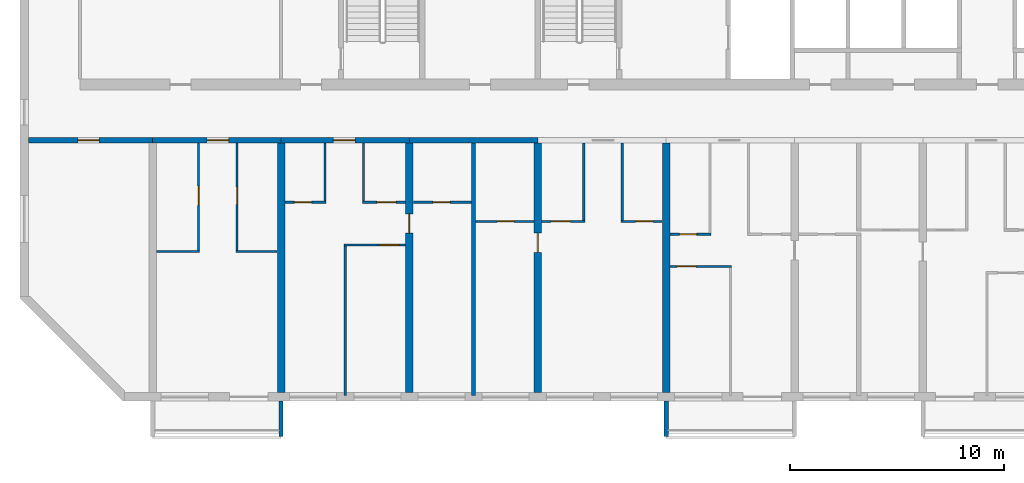
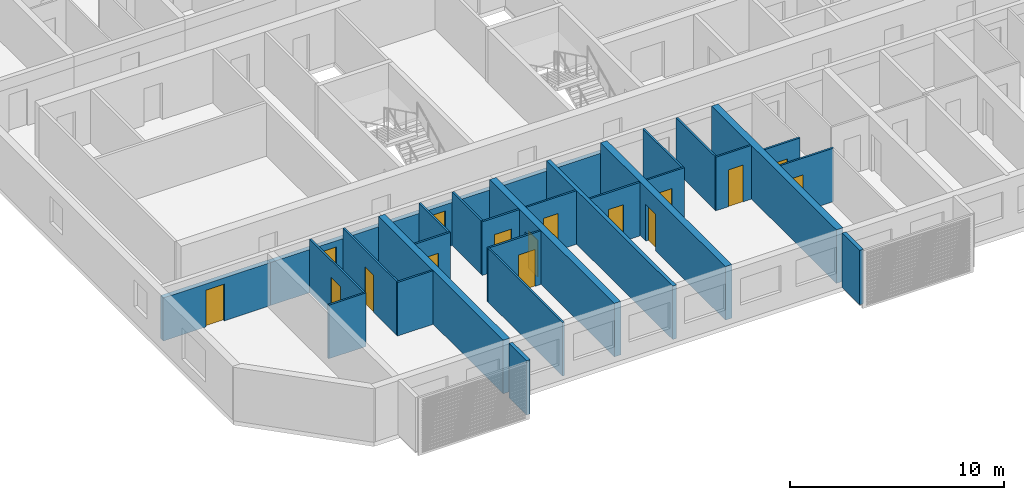
# One storey, part 2 of 30: 29 walls, 16 doors, 16 openings.
"""IFC4 building model written with IfcOpenShell, lengths in metres."""

from ifc_helpers import new_model, si_unit, direction, frame, frame_2d, origin, place, context, subcontext, project, spatial, polyline, rectangle, outline, extrude, source, transform, mapped, material, layer, layer_set, type_object, element, fill, save


model = new_model("IFC4")

# Units and contexts
model_context = context("Model", 3, precision=1e-05, world=origin(), true_north=direction((0.0, 1.0)))
body_context = subcontext(model_context, "Body", "Model", "MODEL_VIEW")
ifc_project = project(units=[si_unit("LENGTHUNIT", "METRE"), si_unit("AREAUNIT", "SQUARE_METRE"), si_unit("VOLUMEUNIT", "CUBIC_METRE"), si_unit("PLANEANGLEUNIT", "RADIAN"), si_unit("MASSUNIT", "GRAM", prefix="KILO")], contexts=[model_context])

# Site, building, storey
site_placement = place(None, origin())
site = spatial("IfcSite", under=ifc_project, at=site_placement, CompositionType="ELEMENT")
building_placement = place(site_placement, origin())
building = spatial("IfcBuilding", under=site, at=building_placement, Name="Poui Terraces", CompositionType="ELEMENT")
storey_placement = place(building_placement, frame((0.0, 0.0, 99.300048828125)))
storey = spatial("IfcBuildingStorey", under=building, at=storey_placement, Name="L27", CompositionType="ELEMENT", Elevation=99.300048828125)

# Wall, opening, door
ifc_material_1 = material(Name="Concrete 65 MPa", Category="concrete")
ifc_layer_1 = layer(ifc_material_1, 0.25)
ifc_layer_set_1 = layer_set([ifc_layer_1], Name="Concrete 65 MPa")
wall_type_1 = type_object("IfcWallType", Name="CORRIDOR WALL 250 65MPa", PredefinedType="SHEAR", material=ifc_layer_set_1)
wall_1_placement = place(storey_placement, frame((6.199951171875, 12.0, 0.0), z_axis=(0.0, 0.0, 1.0), x_axis=(1.0, 0.0, 0.0)))
wall_1 = element("IfcWall", 1, at=wall_1_placement, inside=storey, type_object=wall_type_1, Name="CORRIDOR WALL LINE B BAY 1", PredefinedType="SHEAR", context=body_context, shape_type="SweptSolid", body=[
    extrude(rectangle(XDim=5.800048828125, YDim=0.25, at=frame_2d((2.89990234375, 0.0))), origin(), (0.0, 0.0, 1.0), 2.4599609375),
])
opening_1_placement = place(wall_1_placement, frame((2.300048828125, 0.0, 0.0)))
opening_1 = element("IfcOpeningElement", 2, at=opening_1_placement, cuts=wall_1, Name="Opening D100", PredefinedType="OPENING", context=body_context, shape_type="SweptSolid", body=[
    extrude(rectangle(XDim=1.0, YDim=2.10009765625, at=frame_2d((0.5, 1.050048828125))), frame((0.0, 0.135009765625, 0.0), z_axis=(0.0, -1.0, 0.0), x_axis=(1.0, 0.0, 0.0)), (0.0, 0.0, 1.0), 0.27001953125),
])
ifc_material_2 = material(Name="Solid core timber door", Category="wood")
door_type_1 = type_object("IfcDoorType", Name="ACCESSIBLE INTERNAL DOOR 1000 X 2100", OperationType="NOTDEFINED", PredefinedType="DOOR", material=ifc_material_2)
door_1_placement = place(opening_1_placement, frame((1.0, 0.0, 0.0), z_axis=(0.0, 0.0, 1.0), x_axis=(-1.0, 0.0, 0.0)))
door_1 = element("IfcDoor", 3, at=door_1_placement, inside=storey, type_object=door_type_1, Name="ACCESSIBLE INTERNAL DOOR 083", OperationType="SINGLE_SWING_RIGHT", OverallHeight=2.10009765625, OverallWidth=1.0, PredefinedType="DOOR", context=body_context, shape_type="SweptSolid", body=[
    extrude(rectangle(XDim=1.0, YDim=2.10009765625, at=frame_2d((0.5, 1.050048828125))), frame((0.0, 0.02490234375, 0.0), z_axis=(0.0, -1.0, 0.0), x_axis=(1.0, 0.0, 0.0)), (0.0, 0.0, 1.0), 0.050048828125),
])
fill(opening_1, door_1)

wall_2_placement = place(storey_placement, frame((12.0, 12.0, 0.0), z_axis=(0.0, 0.0, 1.0), x_axis=(1.0, 0.0, 0.0)))
wall_2 = element("IfcWall", 4, at=wall_2_placement, inside=storey, type_object=wall_type_1, Name="CORRIDOR WALL LINE B BAY 2", PredefinedType="SHEAR", context=body_context, shape_type="SweptSolid", body=[
    extrude(rectangle(XDim=6.0, YDim=0.25, at=frame_2d((3.0, 0.0))), origin(), (0.0, 0.0, 1.0), 2.4599609375),
])
opening_2_placement = place(wall_2_placement, frame((2.550048828125, 0.0, 0.0)))
opening_2 = element("IfcOpeningElement", 5, at=opening_2_placement, cuts=wall_2, Name="Opening FD30S", PredefinedType="OPENING", context=body_context, shape_type="SweptSolid", body=[
    extrude(rectangle(XDim=1.0, YDim=2.10009765625, at=frame_2d((0.5, 1.050048828125))), frame((0.0, 0.135009765625, 0.0), z_axis=(0.0, -1.0, 0.0), x_axis=(1.0, 0.0, 0.0)), (0.0, 0.0, 1.0), 0.27001953125),
])
ifc_material_3 = material(Name="Steel fire door", Category="steel")
door_type_2 = type_object("IfcDoorType", Name="FLAT ENTRANCE DOOR 1000 X 2100", OperationType="NOTDEFINED", PredefinedType="DOOR", material=ifc_material_3)
door_2_placement = place(opening_2_placement, frame((1.0, 0.0, 0.0), z_axis=(0.0, 0.0, 1.0), x_axis=(-1.0, 0.0, 0.0)))
door_2 = element("IfcDoor", 6, at=door_2_placement, inside=storey, type_object=door_type_2, Name="FLAT ENTRANCE DOOR 085", OperationType="SINGLE_SWING_LEFT", OverallHeight=2.10009765625, OverallWidth=1.0, PredefinedType="DOOR", context=body_context, shape_type="SweptSolid", body=[
    extrude(rectangle(XDim=1.0, YDim=2.10009765625, at=frame_2d((0.5, 1.050048828125))), frame((0.0, 0.02490234375, 0.0), z_axis=(0.0, -1.0, 0.0), x_axis=(1.0, 0.0, 0.0)), (0.0, 0.0, 1.0), 0.050048828125),
])
fill(opening_2, door_2)

wall_3_placement = place(storey_placement, frame((18.0, 12.0, 0.0), z_axis=(0.0, 0.0, 1.0), x_axis=(1.0, 0.0, 0.0)))
wall_3 = element("IfcWall", 7, at=wall_3_placement, inside=storey, type_object=wall_type_1, Name="CORRIDOR WALL LINE B BAY 3", PredefinedType="SHEAR", context=body_context, shape_type="SweptSolid", body=[
    extrude(rectangle(XDim=6.0, YDim=0.25, at=frame_2d((3.0, 0.0))), origin(), (0.0, 0.0, 1.0), 2.4599609375),
])
opening_3_placement = place(wall_3_placement, frame((2.449951171875, 0.0, 0.0)))
opening_3 = element("IfcOpeningElement", 8, at=opening_3_placement, cuts=wall_3, Name="Opening FD30S", PredefinedType="OPENING", context=body_context, shape_type="SweptSolid", body=[
    extrude(rectangle(XDim=1.0, YDim=2.10009765625, at=frame_2d((0.5, 1.050048828125))), frame((0.0, 0.135009765625, 0.0), z_axis=(0.0, -1.0, 0.0), x_axis=(1.0, 0.0, 0.0)), (0.0, 0.0, 1.0), 0.27001953125),
])
door_3_placement = place(opening_3_placement, frame((1.0, 0.0, 0.0), z_axis=(0.0, 0.0, 1.0), x_axis=(-1.0, 0.0, 0.0)))
door_3 = element("IfcDoor", 9, at=door_3_placement, inside=storey, type_object=door_type_2, Name="FLAT ENTRANCE DOOR 089", OperationType="SINGLE_SWING_RIGHT", OverallHeight=2.10009765625, OverallWidth=1.0, PredefinedType="DOOR", context=body_context, shape_type="SweptSolid", body=[
    extrude(rectangle(XDim=1.0, YDim=2.10009765625, at=frame_2d((0.5, 1.050048828125))), frame((0.0, 0.02490234375, 0.0), z_axis=(0.0, -1.0, 0.0), x_axis=(1.0, 0.0, 0.0)), (0.0, 0.0, 1.0), 0.050048828125),
])
fill(opening_3, door_3)

# Walls
wall_4_placement = place(storey_placement, frame((24.0, 12.0, 0.0), z_axis=(0.0, 0.0, 1.0), x_axis=(1.0, 0.0, 0.0)))
element("IfcWall", 10, at=wall_4_placement, inside=storey, type_object=wall_type_1, Name="CORRIDOR WALL LINE B BAY 4", PredefinedType="SHEAR", context=body_context, shape_type="SweptSolid", body=[
    extrude(rectangle(XDim=6.0, YDim=0.25, at=frame_2d((3.0, 0.0))), origin(), (0.0, 0.0, 1.0), 2.4599609375),
])
ifc_layer_2 = layer(ifc_material_1, 0.35009765625)
ifc_layer_set_2 = layer_set([ifc_layer_2], Name="Concrete 65 MPa")
wall_type_2 = type_object("IfcWallType", Name="CROSS WALL 350 65MPa", PredefinedType="SHEAR", material=ifc_layer_set_2)
wall_5_placement = place(storey_placement, frame((18.0, 0.199951171875, 0.0), z_axis=(0.0, 0.0, 1.0), x_axis=(0.0, 1.0, 0.0)))
element("IfcWall", 11, at=wall_5_placement, inside=storey, type_object=wall_type_2, Name="CROSS WALL LINE 4 SOUTH", PredefinedType="SHEAR", context=body_context, shape_type="SweptSolid", body=[
    extrude(rectangle(XDim=11.675048828125, YDim=0.35009765625, at=frame_2d((5.83740234375, 0.0))), origin(), (0.0, 0.0, 1.0), 3.06005859375),
])

# Wall, opening, door
wall_6_placement = place(storey_placement, frame((24.0, 0.199951171875, 0.0), z_axis=(0.0, 0.0, 1.0), x_axis=(0.0, 1.0, 0.0)))
wall_6 = element("IfcWall", 12, at=wall_6_placement, inside=storey, type_object=wall_type_2, Name="CROSS WALL LINE 5 SOUTH", PredefinedType="SHEAR", context=body_context, shape_type="SweptSolid", body=[
    extrude(rectangle(XDim=11.675048828125, YDim=0.35009765625, at=frame_2d((5.83740234375, 0.0))), origin(), (0.0, 0.0, 1.0), 3.06005859375),
])
opening_4_placement = place(wall_6_placement, frame((7.449951171875, 0.0, 0.0)))
opening_4 = element("IfcOpeningElement", 13, at=opening_4_placement, cuts=wall_6, Name="Opening D90", PredefinedType="OPENING", context=body_context, shape_type="SweptSolid", body=[
    extrude(rectangle(XDim=0.89990234375, YDim=2.10009765625, at=frame_2d((0.449951171875, 1.050048828125))), frame((0.0, 0.18505859375, 0.0), z_axis=(0.0, -1.0, 0.0), x_axis=(1.0, 0.0, 0.0)), (0.0, 0.0, 1.0), 0.3701171875),
])
door_type_3 = type_object("IfcDoorType", Name="INTERNAL DOOR 900 X 2100", OperationType="NOTDEFINED", PredefinedType="DOOR", material=ifc_material_2)
door_4_placement = place(opening_4_placement, frame((0.89990234375, 0.0, 0.0), z_axis=(0.0, 0.0, 1.0), x_axis=(-1.0, 0.0, 0.0)))
door_4 = element("IfcDoor", 14, at=door_4_placement, inside=storey, type_object=door_type_3, Name="INTERNAL DOOR 092", OperationType="SINGLE_SWING_LEFT", OverallHeight=2.10009765625, OverallWidth=0.89990234375, PredefinedType="DOOR", context=body_context, shape_type="SweptSolid", body=[
    extrude(rectangle(XDim=0.89990234375, YDim=2.10009765625, at=frame_2d((0.449951171875, 1.050048828125))), frame((0.0, 0.02490234375, 0.0), z_axis=(0.0, -1.0, 0.0), x_axis=(1.0, 0.0, 0.0)), (0.0, 0.0, 1.0), 0.050048828125),
])
fill(opening_4, door_4)

wall_7_placement = place(storey_placement, frame((30.0, 0.199951171875, 0.0), z_axis=(0.0, 0.0, 1.0), x_axis=(0.0, 1.0, 0.0)))
wall_7 = element("IfcWall", 15, at=wall_7_placement, inside=storey, type_object=wall_type_2, Name="CROSS WALL LINE 6 SOUTH", PredefinedType="SHEAR", context=body_context, shape_type="SweptSolid", body=[
    extrude(rectangle(XDim=11.675048828125, YDim=0.35009765625, at=frame_2d((5.83740234375, 0.0))), origin(), (0.0, 0.0, 1.0), 3.06005859375),
])
opening_5_placement = place(wall_7_placement, frame((6.550048828125, 0.0, 0.0)))
opening_5 = element("IfcOpeningElement", 16, at=opening_5_placement, cuts=wall_7, Name="Opening D90", PredefinedType="OPENING", context=body_context, shape_type="SweptSolid", body=[
    extrude(rectangle(XDim=0.89990234375, YDim=2.10009765625, at=frame_2d((0.449951171875, 1.050048828125))), frame((0.0, 0.18505859375, 0.0), z_axis=(0.0, -1.0, 0.0), x_axis=(1.0, 0.0, 0.0)), (0.0, 0.0, 1.0), 0.3701171875),
])
door_5_placement = place(opening_5_placement, origin())
door_5 = element("IfcDoor", 17, at=door_5_placement, inside=storey, type_object=door_type_3, Name="INTERNAL DOOR 094", OperationType="SINGLE_SWING_RIGHT", OverallHeight=2.10009765625, OverallWidth=0.89990234375, PredefinedType="DOOR", context=body_context, shape_type="SweptSolid", body=[
    extrude(rectangle(XDim=0.89990234375, YDim=2.10009765625, at=frame_2d((0.449951171875, 1.050048828125))), frame((0.0, 0.02490234375, 0.0), z_axis=(0.0, -1.0, 0.0), x_axis=(1.0, 0.0, 0.0)), (0.0, 0.0, 1.0), 0.050048828125),
])
fill(opening_5, door_5)

# Wall
wall_8_placement = place(storey_placement, frame((36.0, 0.199951171875, 0.0), z_axis=(0.0, 0.0, 1.0), x_axis=(0.0, 1.0, 0.0)))
element("IfcWall", 18, at=wall_8_placement, inside=storey, type_object=wall_type_2, Name="CROSS WALL LINE 7 SOUTH", PredefinedType="SHEAR", context=body_context, shape_type="SweptSolid", body=[
    extrude(rectangle(XDim=11.675048828125, YDim=0.35009765625, at=frame_2d((5.83740234375, 0.0))), origin(), (0.0, 0.0, 1.0), 3.06005859375),
])

# Wall, opening, door
ifc_material_4 = material(Name="Plasterboard partition")
ifc_layer_3 = layer(ifc_material_4, 0.10009765625)
ifc_layer_set_3 = layer_set([ifc_layer_3], Name="Plasterboard partition")
wall_type_3 = type_object("IfcWallType", Name="FLAT PARTITION 100", PredefinedType="PARTITIONING", material=ifc_layer_set_3)
wall_9_placement = place(storey_placement, frame((36.18505859375, 6.10009765625, 0.0), z_axis=(0.0, 0.0, 1.0), x_axis=(1.0, 0.0, 0.0)))
wall_9 = element("IfcWall", 19, at=wall_9_placement, inside=storey, type_object=wall_type_3, Name="FLAT PARTITION 100", PredefinedType="PARTITIONING", context=body_context, shape_type="SweptSolid", body=[
    extrude(rectangle(XDim=2.864990234375, YDim=0.10009765625, at=frame_2d((1.4326171875, 0.0))), origin(), (0.0, 0.0, 1.0), 3.06005859375),
])
opening_6_placement = place(wall_9_placement, frame((0.31494140625, 0.0, 0.0)))
opening_6 = element("IfcOpeningElement", 20, at=opening_6_placement, cuts=wall_9, Name="Opening D90", PredefinedType="OPENING", context=body_context, shape_type="SweptSolid", body=[
    extrude(rectangle(XDim=0.89990234375, YDim=2.10009765625, at=frame_2d((0.449951171875, 1.050048828125))), frame((0.0, 0.06005859375, 0.0), z_axis=(0.0, -1.0, 0.0), x_axis=(1.0, 0.0, 0.0)), (0.0, 0.0, 1.0), 0.1201171875),
])
door_6_placement = place(opening_6_placement, origin())
door_6 = element("IfcDoor", 21, at=door_6_placement, inside=storey, type_object=door_type_3, Name="INTERNAL DOOR 099", OperationType="SINGLE_SWING_RIGHT", OverallHeight=2.10009765625, OverallWidth=0.89990234375, PredefinedType="DOOR", context=body_context, shape_type="SweptSolid", body=[
    extrude(rectangle(XDim=0.89990234375, YDim=2.10009765625, at=frame_2d((0.449951171875, 1.050048828125))), frame((0.0, 0.02490234375, 0.0), z_axis=(0.0, -1.0, 0.0), x_axis=(1.0, 0.0, 0.0)), (0.0, 0.0, 1.0), 0.050048828125),
])
fill(opening_6, door_6)

# Walls
wall_10_placement = place(storey_placement, frame((12.18505859375, 6.800048828125, 0.0), z_axis=(0.0, 0.0, 1.0), x_axis=(1.0, 0.0, 0.0)))
element("IfcWall", 22, at=wall_10_placement, inside=storey, type_object=wall_type_3, Name="FLAT PARTITION 100", PredefinedType="PARTITIONING", context=body_context, shape_type="SweptSolid", body=[
    extrude(rectangle(XDim=2.014892578125, YDim=0.10009765625, at=frame_2d((1.00732421875, 0.0))), origin(), (0.0, 0.0, 1.0), 3.06005859375),
])
wall_11_placement = place(storey_placement, frame((15.89990234375, 6.800048828125, 0.0), z_axis=(0.0, 0.0, 1.0), x_axis=(1.0, 0.0, 0.0)))
element("IfcWall", 23, at=wall_11_placement, inside=storey, type_object=wall_type_3, Name="FLAT PARTITION 100", PredefinedType="PARTITIONING", context=body_context, shape_type="SweptSolid", body=[
    extrude(rectangle(XDim=1.9150390625, YDim=0.10009765625, at=frame_2d((0.95751953125, 0.0))), origin(), (0.0, 0.0, 1.0), 3.06005859375),
])

# Wall, opening, door
wall_12_placement = place(storey_placement, frame((20.949951171875, 7.10009765625, 0.0), z_axis=(0.0, 0.0, 1.0), x_axis=(1.0, 0.0, 0.0)))
wall_12 = element("IfcWall", 24, at=wall_12_placement, inside=storey, type_object=wall_type_3, Name="FLAT PARTITION 100", PredefinedType="PARTITIONING", context=body_context, shape_type="SweptSolid", body=[
    extrude(rectangle(XDim=2.864990234375, YDim=0.10009765625, at=frame_2d((1.4326171875, 0.0))), origin(), (0.0, 0.0, 1.0), 3.06005859375),
])
opening_7_placement = place(wall_12_placement, frame((1.64990234375, 0.0, 0.0)))
opening_7 = element("IfcOpeningElement", 25, at=opening_7_placement, cuts=wall_12, Name="Opening D90", PredefinedType="OPENING", context=body_context, shape_type="SweptSolid", body=[
    extrude(rectangle(XDim=0.89990234375, YDim=2.10009765625, at=frame_2d((0.449951171875, 1.050048828125))), frame((0.0, 0.06005859375, 0.0), z_axis=(0.0, -1.0, 0.0), x_axis=(1.0, 0.0, 0.0)), (0.0, 0.0, 1.0), 0.1201171875),
])
door_7_placement = place(opening_7_placement, origin())
door_7 = element("IfcDoor", 26, at=door_7_placement, inside=storey, type_object=door_type_3, Name="INTERNAL DOOR 091", OperationType="SINGLE_SWING_LEFT", OverallHeight=2.10009765625, OverallWidth=0.89990234375, PredefinedType="DOOR", context=body_context, shape_type="SweptSolid", body=[
    extrude(rectangle(XDim=0.89990234375, YDim=2.10009765625, at=frame_2d((0.449951171875, 1.050048828125))), frame((0.0, 0.02490234375, 0.0), z_axis=(0.0, -1.0, 0.0), x_axis=(1.0, 0.0, 0.0)), (0.0, 0.0, 1.0), 0.050048828125),
])
fill(opening_7, door_7)

wall_13_placement = place(storey_placement, frame((36.18505859375, 7.60009765625, 0.0), z_axis=(0.0, 0.0, 1.0), x_axis=(1.0, 0.0, 0.0)))
wall_13 = element("IfcWall", 27, at=wall_13_placement, inside=storey, type_object=wall_type_3, Name="FLAT PARTITION 100", PredefinedType="PARTITIONING", context=body_context, shape_type="SweptSolid", body=[
    extrude(rectangle(XDim=1.9150390625, YDim=0.10009765625, at=frame_2d((0.95751953125, 0.0))), origin(), (0.0, 0.0, 1.0), 3.06005859375),
])
opening_8_placement = place(wall_13_placement, frame((0.43994140625, 0.0, 0.0)))
opening_8 = element("IfcOpeningElement", 28, at=opening_8_placement, cuts=wall_13, Name="Opening D80", PredefinedType="OPENING", context=body_context, shape_type="SweptSolid", body=[
    extrude(rectangle(XDim=0.800048828125, YDim=2.10009765625, at=frame_2d((0.39990234375, 1.050048828125))), frame((0.0, 0.06005859375, 0.0), z_axis=(0.0, -1.0, 0.0), x_axis=(1.0, 0.0, 0.0)), (0.0, 0.0, 1.0), 0.1201171875),
])
door_type_4 = type_object("IfcDoorType", Name="BATHROOM, LAUNDRY AND STORE DOOR 800 X 2100", OperationType="NOTDEFINED", PredefinedType="DOOR", material=ifc_material_2)
door_8_placement = place(opening_8_placement, origin())
door_8 = element("IfcDoor", 29, at=door_8_placement, inside=storey, type_object=door_type_4, Name="BATHROOM, LAUNDRY AND STORE DOOR 100", OperationType="SINGLE_SWING_LEFT", OverallHeight=2.10009765625, OverallWidth=0.800048828125, PredefinedType="DOOR", context=body_context, shape_type="SweptSolid", body=[
    extrude(rectangle(XDim=0.800048828125, YDim=2.10009765625, at=frame_2d((0.39990234375, 1.050048828125))), frame((0.0, 0.02490234375, 0.0), z_axis=(0.0, -1.0, 0.0), x_axis=(1.0, 0.0, 0.0)), (0.0, 0.0, 1.0), 0.050048828125),
])
fill(opening_8, door_8)

wall_14_placement = place(storey_placement, frame((27.10009765625, 8.199951171875, 0.0), z_axis=(0.0, 0.0, 1.0), x_axis=(1.0, 0.0, 0.0)))
wall_14 = element("IfcWall", 30, at=wall_14_placement, inside=storey, type_object=wall_type_3, Name="FLAT PARTITION 100", PredefinedType="PARTITIONING", context=body_context, shape_type="SweptSolid", body=[
    extrude(rectangle(XDim=2.71484375, YDim=0.10009765625, at=frame_2d((1.357421875, 0.0))), origin(), (0.0, 0.0, 1.0), 3.06005859375),
])
opening_9_placement = place(wall_14_placement, frame((1.0, 0.0, 0.0)))
opening_9 = element("IfcOpeningElement", 31, at=opening_9_placement, cuts=wall_14, Name="Opening D80", PredefinedType="OPENING", context=body_context, shape_type="SweptSolid", body=[
    extrude(rectangle(XDim=0.800048828125, YDim=2.10009765625, at=frame_2d((0.39990234375, 1.050048828125))), frame((0.0, 0.06005859375, 0.0), z_axis=(0.0, -1.0, 0.0), x_axis=(1.0, 0.0, 0.0)), (0.0, 0.0, 1.0), 0.1201171875),
])
door_9_placement = place(opening_9_placement, origin())
door_9 = element("IfcDoor", 32, at=door_9_placement, inside=storey, type_object=door_type_4, Name="BATHROOM, LAUNDRY AND STORE DOOR 093", OperationType="SINGLE_SWING_RIGHT", OverallHeight=2.10009765625, OverallWidth=0.800048828125, PredefinedType="DOOR", context=body_context, shape_type="SweptSolid", body=[
    extrude(rectangle(XDim=0.800048828125, YDim=2.10009765625, at=frame_2d((0.39990234375, 1.050048828125))), frame((0.0, 0.02490234375, 0.0), z_axis=(0.0, -1.0, 0.0), x_axis=(1.0, 0.0, 0.0)), (0.0, 0.0, 1.0), 0.050048828125),
])
fill(opening_9, door_9)

wall_15_placement = place(storey_placement, frame((30.18505859375, 8.199951171875, 0.0), z_axis=(0.0, 0.0, 1.0), x_axis=(1.0, 0.0, 0.0)))
wall_15 = element("IfcWall", 33, at=wall_15_placement, inside=storey, type_object=wall_type_3, Name="FLAT PARTITION 100", PredefinedType="PARTITIONING", context=body_context, shape_type="SweptSolid", body=[
    extrude(rectangle(XDim=2.014892578125, YDim=0.10009765625, at=frame_2d((1.00732421875, 0.0))), origin(), (0.0, 0.0, 1.0), 3.06005859375),
])
opening_10_placement = place(wall_15_placement, frame((0.43994140625, 0.0, 0.0)))
opening_10 = element("IfcOpeningElement", 34, at=opening_10_placement, cuts=wall_15, Name="Opening D90", PredefinedType="OPENING", context=body_context, shape_type="SweptSolid", body=[
    extrude(rectangle(XDim=0.89990234375, YDim=2.10009765625, at=frame_2d((0.449951171875, 1.050048828125))), frame((0.0, 0.06005859375, 0.0), z_axis=(0.0, -1.0, 0.0), x_axis=(1.0, 0.0, 0.0)), (0.0, 0.0, 1.0), 0.1201171875),
])
door_10_placement = place(opening_10_placement, origin())
door_10 = element("IfcDoor", 35, at=door_10_placement, inside=storey, type_object=door_type_3, Name="INTERNAL DOOR 095", OperationType="SINGLE_SWING_LEFT", OverallHeight=2.10009765625, OverallWidth=0.89990234375, PredefinedType="DOOR", context=body_context, shape_type="SweptSolid", body=[
    extrude(rectangle(XDim=0.89990234375, YDim=2.10009765625, at=frame_2d((0.449951171875, 1.050048828125))), frame((0.0, 0.02490234375, 0.0), z_axis=(0.0, -1.0, 0.0), x_axis=(1.0, 0.0, 0.0)), (0.0, 0.0, 1.0), 0.050048828125),
])
fill(opening_10, door_10)

wall_16_placement = place(storey_placement, frame((33.89990234375, 8.199951171875, 0.0), z_axis=(0.0, 0.0, 1.0), x_axis=(1.0, 0.0, 0.0)))
wall_16 = element("IfcWall", 36, at=wall_16_placement, inside=storey, type_object=wall_type_3, Name="FLAT PARTITION 100", PredefinedType="PARTITIONING", context=body_context, shape_type="SweptSolid", body=[
    extrude(rectangle(XDim=1.9150390625, YDim=0.10009765625, at=frame_2d((0.95751953125, 0.0))), origin(), (0.0, 0.0, 1.0), 3.06005859375),
])
opening_11_placement = place(wall_16_placement, frame((0.675048828125, 0.0, 0.0)))
opening_11 = element("IfcOpeningElement", 37, at=opening_11_placement, cuts=wall_16, Name="Opening D80", PredefinedType="OPENING", context=body_context, shape_type="SweptSolid", body=[
    extrude(rectangle(XDim=0.800048828125, YDim=2.10009765625, at=frame_2d((0.39990234375, 1.050048828125))), frame((0.0, 0.06005859375, 0.0), z_axis=(0.0, -1.0, 0.0), x_axis=(1.0, 0.0, 0.0)), (0.0, 0.0, 1.0), 0.1201171875),
])
door_11_placement = place(opening_11_placement, origin())
door_11 = element("IfcDoor", 38, at=door_11_placement, inside=storey, type_object=door_type_4, Name="BATHROOM, LAUNDRY AND STORE DOOR 097", OperationType="SINGLE_SWING_RIGHT", OverallHeight=2.10009765625, OverallWidth=0.800048828125, PredefinedType="DOOR", context=body_context, shape_type="SweptSolid", body=[
    extrude(rectangle(XDim=0.800048828125, YDim=2.10009765625, at=frame_2d((0.39990234375, 1.050048828125))), frame((0.0, 0.02490234375, 0.0), z_axis=(0.0, -1.0, 0.0), x_axis=(1.0, 0.0, 0.0)), (0.0, 0.0, 1.0), 0.050048828125),
])
fill(opening_11, door_11)

wall_17_placement = place(storey_placement, frame((18.18505859375, 9.10009765625, 0.0), z_axis=(0.0, 0.0, 1.0), x_axis=(1.0, 0.0, 0.0)))
wall_17 = element("IfcWall", 39, at=wall_17_placement, inside=storey, type_object=wall_type_3, Name="FLAT PARTITION 100", PredefinedType="PARTITIONING", context=body_context, shape_type="SweptSolid", body=[
    extrude(rectangle(XDim=1.9150390625, YDim=0.10009765625, at=frame_2d((0.95751953125, 0.0))), origin(), (0.0, 0.0, 1.0), 3.06005859375),
])
opening_12_placement = place(wall_17_placement, frame((0.43994140625, 0.0, 0.0)))
opening_12 = element("IfcOpeningElement", 40, at=opening_12_placement, cuts=wall_17, Name="Opening D80", PredefinedType="OPENING", context=body_context, shape_type="SweptSolid", body=[
    extrude(rectangle(XDim=0.800048828125, YDim=2.10009765625, at=frame_2d((0.39990234375, 1.050048828125))), frame((0.0, 0.06005859375, 0.0), z_axis=(0.0, -1.0, 0.0), x_axis=(1.0, 0.0, 0.0)), (0.0, 0.0, 1.0), 0.1201171875),
])
door_12_placement = place(opening_12_placement, origin())
door_12 = element("IfcDoor", 41, at=door_12_placement, inside=storey, type_object=door_type_4, Name="BATHROOM, LAUNDRY AND STORE DOOR 088", OperationType="SINGLE_SWING_LEFT", OverallHeight=2.10009765625, OverallWidth=0.800048828125, PredefinedType="DOOR", context=body_context, shape_type="SweptSolid", body=[
    extrude(rectangle(XDim=0.800048828125, YDim=2.10009765625, at=frame_2d((0.39990234375, 1.050048828125))), frame((0.0, 0.02490234375, 0.0), z_axis=(0.0, -1.0, 0.0), x_axis=(1.0, 0.0, 0.0)), (0.0, 0.0, 1.0), 0.050048828125),
])
fill(opening_12, door_12)

wall_18_placement = place(storey_placement, frame((21.800048828125, 9.10009765625, 0.0), z_axis=(0.0, 0.0, 1.0), x_axis=(1.0, 0.0, 0.0)))
wall_18 = element("IfcWall", 42, at=wall_18_placement, inside=storey, type_object=wall_type_3, Name="FLAT PARTITION 100", PredefinedType="PARTITIONING", context=body_context, shape_type="SweptSolid", body=[
    extrude(rectangle(XDim=2.014892578125, YDim=0.10009765625, at=frame_2d((1.00732421875, 0.0))), origin(), (0.0, 0.0, 1.0), 3.06005859375),
])
opening_13_placement = place(wall_18_placement, frame((0.675048828125, 0.0, 0.0)))
opening_13 = element("IfcOpeningElement", 43, at=opening_13_placement, cuts=wall_18, Name="Opening D90", PredefinedType="OPENING", context=body_context, shape_type="SweptSolid", body=[
    extrude(rectangle(XDim=0.89990234375, YDim=2.10009765625, at=frame_2d((0.449951171875, 1.050048828125))), frame((0.0, 0.06005859375, 0.0), z_axis=(0.0, -1.0, 0.0), x_axis=(1.0, 0.0, 0.0)), (0.0, 0.0, 1.0), 0.1201171875),
])
door_13_placement = place(opening_13_placement, origin())
door_13 = element("IfcDoor", 44, at=door_13_placement, inside=storey, type_object=door_type_3, Name="INTERNAL DOOR 090", OperationType="SINGLE_SWING_RIGHT", OverallHeight=2.10009765625, OverallWidth=0.89990234375, PredefinedType="DOOR", context=body_context, shape_type="SweptSolid", body=[
    extrude(rectangle(XDim=0.89990234375, YDim=2.10009765625, at=frame_2d((0.449951171875, 1.050048828125))), frame((0.0, 0.02490234375, 0.0), z_axis=(0.0, -1.0, 0.0), x_axis=(1.0, 0.0, 0.0)), (0.0, 0.0, 1.0), 0.050048828125),
])
fill(opening_13, door_13)

wall_19_placement = place(storey_placement, frame((24.18505859375, 9.10009765625, 0.0), z_axis=(0.0, 0.0, 1.0), x_axis=(1.0, 0.0, 0.0)))
wall_19 = element("IfcWall", 45, at=wall_19_placement, inside=storey, type_object=wall_type_3, Name="FLAT PARTITION 100", PredefinedType="PARTITIONING", context=body_context, shape_type="SweptSolid", body=[
    extrude(rectangle(XDim=2.71484375, YDim=0.10009765625, at=frame_2d((1.357421875, 0.0))), origin(), (0.0, 0.0, 1.0), 3.06005859375),
])
opening_14_placement = place(wall_19_placement, frame((0.9150390625, 0.0, 0.0)))
opening_14 = element("IfcOpeningElement", 46, at=opening_14_placement, cuts=wall_19, Name="Opening D80", PredefinedType="OPENING", context=body_context, shape_type="SweptSolid", body=[
    extrude(rectangle(XDim=0.800048828125, YDim=2.10009765625, at=frame_2d((0.39990234375, 1.050048828125))), frame((0.0, 0.06005859375, 0.0), z_axis=(0.0, -1.0, 0.0), x_axis=(1.0, 0.0, 0.0)), (0.0, 0.0, 1.0), 0.1201171875),
])
door_14_placement = place(opening_14_placement, origin())
door_14 = element("IfcDoor", 47, at=door_14_placement, inside=storey, type_object=door_type_4, Name="BATHROOM, LAUNDRY AND STORE DOOR 087", OperationType="SINGLE_SWING_LEFT", OverallHeight=2.10009765625, OverallWidth=0.800048828125, PredefinedType="DOOR", context=body_context, shape_type="SweptSolid", body=[
    extrude(rectangle(XDim=0.800048828125, YDim=2.10009765625, at=frame_2d((0.39990234375, 1.050048828125))), frame((0.0, 0.02490234375, 0.0), z_axis=(0.0, -1.0, 0.0), x_axis=(1.0, 0.0, 0.0)), (0.0, 0.0, 1.0), 0.050048828125),
])
fill(opening_14, door_14)

wall_20_placement = place(storey_placement, frame((14.14990234375, 6.85009765625, 0.0), z_axis=(0.0, 0.0, 1.0), x_axis=(0.0, 1.0, 0.0)))
wall_20 = element("IfcWall", 48, at=wall_20_placement, inside=storey, type_object=wall_type_3, Name="FLAT PARTITION 100", PredefinedType="PARTITIONING", context=body_context, shape_type="SweptSolid", body=[
    extrude(rectangle(XDim=5.014892578125, YDim=0.10009765625, at=frame_2d((2.50732421875, 0.0))), origin(), (0.0, 0.0, 1.0), 3.06005859375),
])
opening_15_placement = place(wall_20_placement, frame((2.10009765625, 0.0, 0.0)))
opening_15 = element("IfcOpeningElement", 49, at=opening_15_placement, cuts=wall_20, Name="Opening D90", PredefinedType="OPENING", context=body_context, shape_type="SweptSolid", body=[
    extrude(rectangle(XDim=0.89990234375, YDim=2.10009765625, at=frame_2d((0.449951171875, 1.050048828125))), frame((0.0, 0.06005859375, 0.0), z_axis=(0.0, -1.0, 0.0), x_axis=(1.0, 0.0, 0.0)), (0.0, 0.0, 1.0), 0.1201171875),
])
door_15_placement = place(opening_15_placement, origin())
door_15 = element("IfcDoor", 50, at=door_15_placement, inside=storey, type_object=door_type_3, Name="INTERNAL DOOR 084", OperationType="SINGLE_SWING_LEFT", OverallHeight=2.10009765625, OverallWidth=0.89990234375, PredefinedType="DOOR", context=body_context, shape_type="SweptSolid", body=[
    extrude(rectangle(XDim=0.89990234375, YDim=2.10009765625, at=frame_2d((0.449951171875, 1.050048828125))), frame((0.0, 0.02490234375, 0.0), z_axis=(0.0, -1.0, 0.0), x_axis=(1.0, 0.0, 0.0)), (0.0, 0.0, 1.0), 0.050048828125),
])
fill(opening_15, door_15)

wall_21_placement = place(storey_placement, frame((15.949951171875, 6.85009765625, 0.0), z_axis=(0.0, 0.0, 1.0), x_axis=(0.0, 1.0, 0.0)))
wall_21 = element("IfcWall", 51, at=wall_21_placement, inside=storey, type_object=wall_type_3, Name="FLAT PARTITION 100", PredefinedType="PARTITIONING", context=body_context, shape_type="SweptSolid", body=[
    extrude(rectangle(XDim=5.014892578125, YDim=0.10009765625, at=frame_2d((2.50732421875, 0.0))), origin(), (0.0, 0.0, 1.0), 3.06005859375),
])
opening_16_placement = place(wall_21_placement, frame((2.14990234375, 0.0, 0.0)))
opening_16 = element("IfcOpeningElement", 52, at=opening_16_placement, cuts=wall_21, Name="Opening D80", PredefinedType="OPENING", context=body_context, shape_type="SweptSolid", body=[
    extrude(rectangle(XDim=0.800048828125, YDim=2.10009765625, at=frame_2d((0.39990234375, 1.050048828125))), frame((0.0, 0.06005859375, 0.0), z_axis=(0.0, -1.0, 0.0), x_axis=(1.0, 0.0, 0.0)), (0.0, 0.0, 1.0), 0.1201171875),
])
door_16_placement = place(opening_16_placement, frame((0.800048828125, 0.0, 0.0), z_axis=(0.0, 0.0, 1.0), x_axis=(-1.0, 0.0, 0.0)))
door_16 = element("IfcDoor", 53, at=door_16_placement, inside=storey, type_object=door_type_4, Name="BATHROOM, LAUNDRY AND STORE DOOR 086", OperationType="SINGLE_SWING_LEFT", OverallHeight=2.10009765625, OverallWidth=0.800048828125, PredefinedType="DOOR", context=body_context, shape_type="SweptSolid", body=[
    extrude(rectangle(XDim=0.800048828125, YDim=2.10009765625, at=frame_2d((0.39990234375, 1.050048828125))), frame((0.0, 0.02490234375, 0.0), z_axis=(0.0, -1.0, 0.0), x_axis=(1.0, 0.0, 0.0)), (0.0, 0.0, 1.0), 0.050048828125),
])
fill(opening_16, door_16)

# Walls
wall_22_placement = place(storey_placement, frame((20.050048828125, 9.14990234375, 0.0), z_axis=(0.0, 0.0, 1.0), x_axis=(0.0, 1.0, 0.0)))
element("IfcWall", 54, at=wall_22_placement, inside=storey, type_object=wall_type_3, Name="FLAT PARTITION 100", PredefinedType="PARTITIONING", context=body_context, shape_type="SweptSolid", body=[
    extrude(rectangle(XDim=2.715087890625, YDim=0.10009765625, at=frame_2d((1.357421875, 0.0))), origin(), (0.0, 0.0, 1.0), 3.06005859375),
])
wall_23_placement = place(storey_placement, frame((21.0, 0.06005859375, 0.0), z_axis=(0.0, 0.0, 1.0), x_axis=(0.0, 1.0, 0.0)))
element("IfcWall", 55, at=wall_23_placement, inside=storey, type_object=wall_type_3, Name="FLAT PARTITION 100", PredefinedType="PARTITIONING", context=body_context, shape_type="SweptSolid", body=[
    extrude(rectangle(XDim=6.989990234375, YDim=0.10009765625, at=frame_2d((3.4951171875, 0.0))), origin(), (0.0, 0.0, 1.0), 3.06005859375),
])
wall_24_placement = place(storey_placement, frame((21.85009765625, 9.14990234375, 0.0), z_axis=(0.0, 0.0, 1.0), x_axis=(0.0, 1.0, 0.0)))
element("IfcWall", 56, at=wall_24_placement, inside=storey, type_object=wall_type_3, Name="FLAT PARTITION 100", PredefinedType="PARTITIONING", context=body_context, shape_type="SweptSolid", body=[
    extrude(rectangle(XDim=2.715087890625, YDim=0.10009765625, at=frame_2d((1.357421875, 0.0))), origin(), (0.0, 0.0, 1.0), 3.06005859375),
])
for number, where, z_axis, x_axis, name in (
    (57, (32.14990234375, 8.25, 0.0), (0.0, 0.0, 1.0), (0.0, 1.0, 0.0), "FLAT PARTITION 100"),
    (58, (33.949951171875, 8.25, 0.0), (0.0, 0.0, 1.0), (0.0, 1.0, 0.0), "FLAT PARTITION 100"),
):
    element("IfcWall", number, at=place(storey_placement, frame(where, z_axis=z_axis, x_axis=x_axis)), inside=storey, type_object=wall_type_3, Name=name, PredefinedType="PARTITIONING", context=body_context, shape_type="SweptSolid", body=[
        extrude(rectangle(XDim=3.614990234375, YDim=0.10009765625, at=frame_2d((1.8076171875, 0.0))), origin(), (0.0, 0.0, 1.0), 3.06005859375),
    ])
ifc_material_5 = material(Name="Fire-rated masonry wall", Category="masonry")
ifc_layer_4 = layer(ifc_material_5, 0.199951171875)
ifc_layer_set_4 = layer_set([ifc_layer_4], Name="Fire-rated masonry wall")
wall_type_4 = type_object("IfcWallType", Name="FLAT PARTY WALL 200", PredefinedType="PARTITIONING", material=ifc_layer_set_4)
wall_25_placement = place(storey_placement, frame((27.0, 0.06005859375, 0.0), z_axis=(0.0, 0.0, 1.0), x_axis=(0.0, 1.0, 0.0)))
element("IfcWall", 59, at=wall_25_placement, inside=storey, type_object=wall_type_4, Name="FLAT PARTY WALL 200", PredefinedType="PARTITIONING", context=body_context, shape_type="SweptSolid", body=[
    extrude(rectangle(XDim=11.804931640625, YDim=0.199951171875, at=frame_2d((5.90234375, 0.0))), origin(), (0.0, 0.0, 1.0), 3.06005859375),
])
ifc_material_6 = material(Name="Precast concrete 40 MPa", Category="concrete")
ifc_layer_5 = layer(ifc_material_6, 0.199951171875)
ifc_layer_set_5 = layer_set([ifc_layer_5], Name="Precast concrete 40 MPa")
wall_type_5 = type_object("IfcWallType", Name="REAR FIN 200", PredefinedType="STANDARD", material=ifc_layer_set_5)
shared_shape = source(origin(), body_context, "Body", "SweptSolid", [
    extrude(outline(polyline([(0.0, 0.0), (0.2001953125, 0.0), (0.2001953125, 1.650146484375), (0.0, 1.650146484375), (0.0, 0.0)])), origin(), (0.0, 0.0, 1.0), 3.099853515625),
])
for number, where, name in (
    (60, (17.89990234375, -1.85009765625, 0.0), "REAR FIN"),
    (61, (35.89990234375, -1.85009765625, 0.0), "REAR FIN"),
):
    element("IfcWall", number, at=place(storey_placement, frame(where)), inside=storey, type_object=wall_type_5, Name=name, PredefinedType="STANDARD", context=body_context, shape_type="MappedRepresentation", body=[
        mapped(shared_shape, transform((0.0, 0.0, 0.0))),
    ])

save(model, "model.ifc")
